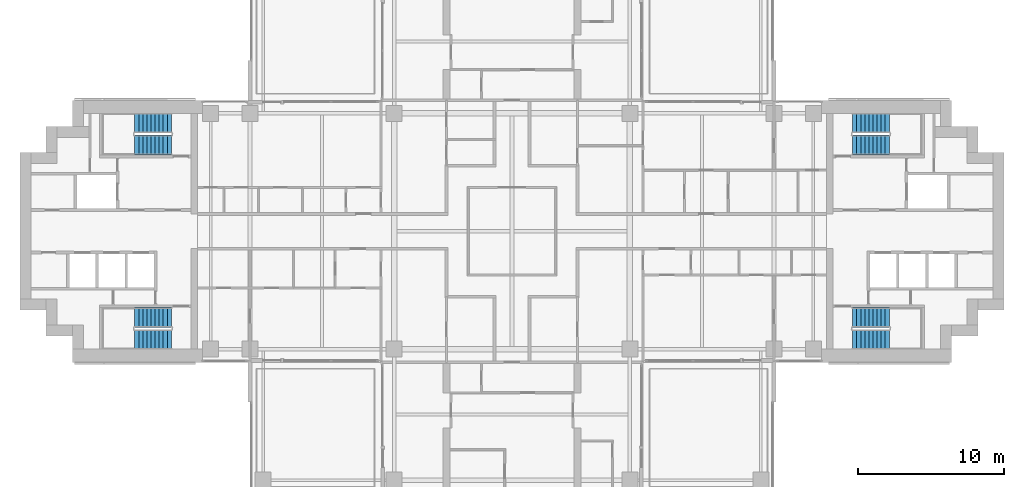
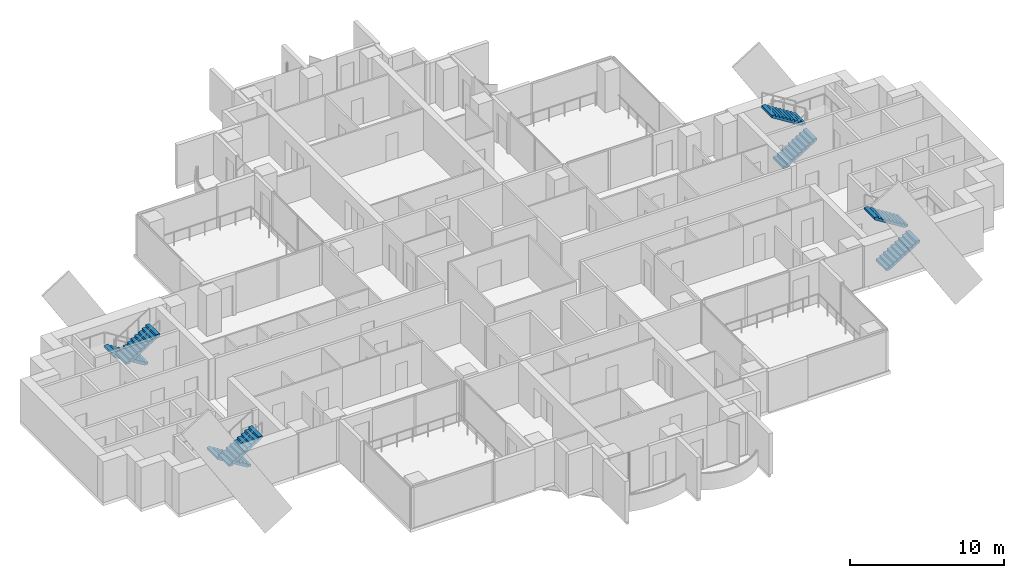
# One storey, part 15 of 19: 8 stair flights, 4 elements without a shape of their own.
"""IFC4 building model written with IfcOpenShell, lengths in metres."""

from ifc_helpers import new_model, si_unit, direction, frame, origin, place, context, subcontext, project, spatial, polyline, outline, extrude, material, type_object, element, aggregate, save


model = new_model("IFC4")

# Units and contexts
model_context = context("Model", 3, precision=1e-05, world=origin(), true_north=direction((0.0, 1.0)))
body_context = subcontext(model_context, "Body", "Model", "MODEL_VIEW")
ifc_project = project(units=[si_unit("LENGTHUNIT", "METRE"), si_unit("AREAUNIT", "SQUARE_METRE"), si_unit("VOLUMEUNIT", "CUBIC_METRE"), si_unit("PLANEANGLEUNIT", "RADIAN"), si_unit("MASSUNIT", "GRAM", prefix="KILO")], contexts=[model_context])

# Site, building, storey
site_placement = place(None, origin())
site = spatial("IfcSite", under=ifc_project, at=site_placement, CompositionType="ELEMENT")
building_placement = place(site_placement, origin())
building = spatial("IfcBuilding", under=site, at=building_placement, Name="Perihelion Cross Residences", CompositionType="ELEMENT")
storey_placement = place(building_placement, frame((0.0, 0.0, 126.89990234375)))
storey = spatial("IfcBuildingStorey", under=building, at=storey_placement, Name="L30", CompositionType="ELEMENT", Elevation=126.89990234375)

# Stair, stair flights
ifc_material_1 = material(Name="Concrete C40/50", Category="concrete")
stair_type = type_object("IfcStairType", Name="Exit stair, half-turn", PredefinedType="HALF_TURN_STAIR", material=ifc_material_1)
stair_1_placement = place(storey_placement, origin())
stair_1 = element("IfcStair", 1, at=stair_1_placement, inside=storey, type_object=stair_type, Name="L30 East core exit stair 1", PredefinedType="HALF_TURN_STAIR")
ifc_material_2 = material(Name="Concrete C40/50", Category="concrete")
stair_flight_type = type_object("IfcStairFlightType", Name="Exit stair flight", PredefinedType="STRAIGHT", material=ifc_material_2)
stair_flight_1_placement = place(storey_placement, frame((23.39990234375, 5.925048828125, 0.0), z_axis=(0.0, 0.0, 1.0), x_axis=(1.0, 0.0, 0.0)))
stair_flight_1 = element("IfcStairFlight", 2, at=stair_flight_1_placement, type_object=stair_flight_type, Name="ST-E1 flight 1", NumberOfRisers=10, NumberOfTreads=9, PredefinedType="STRAIGHT", RiserHeight=0.175, TreadLength=0.28, context=body_context, shape_type="SweptSolid", body=[
    extrude(outline(polyline([(0.0, 0.0), (0.0, 0.175048828125), (0.280029296875, 0.175048828125), (0.280029296875, 0.35009765625), (0.56005859375, 0.35009765625), (0.56005859375, 0.52490234375), (0.840087890625, 0.52490234375), (0.840087890625, 0.699951171875), (1.1201171875, 0.699951171875), (1.1201171875, 0.875), (1.39990234375, 0.875), (1.39990234375, 1.050048828125), (1.679931640625, 1.050048828125), (1.679931640625, 1.22509765625), (1.9599609375, 1.22509765625), (1.9599609375, 1.39990234375), (2.239990234375, 1.39990234375), (2.239990234375, 1.574951171875), (2.52001953125, 1.574951171875), (2.52001953125, 1.75), (2.52001953125, 1.398193359375), (0.28271484375, 0.0), (0.0, 0.0)])), frame((0.0, 0.675048828125, 0.0), z_axis=(0.0, -1.0, 0.0), x_axis=(1.0, 0.0, 0.0)), (0.0, 0.0, 1.0), 1.35009765625),
])
stair_flight_2_placement = place(storey_placement, frame((25.919921875, 7.425048828125, 1.75), z_axis=(0.0, 0.0, 1.0), x_axis=(-1.0, 0.0, 0.0)))
stair_flight_2 = element("IfcStairFlight", 3, at=stair_flight_2_placement, type_object=stair_flight_type, Name="ST-E1 flight 2", NumberOfRisers=10, NumberOfTreads=9, PredefinedType="STRAIGHT", RiserHeight=0.175, TreadLength=0.28, context=body_context, shape_type="SweptSolid", body=[
    extrude(outline(polyline([(0.0, 0.0), (0.0, 0.175048828125), (0.280029296875, 0.175048828125), (0.280029296875, 0.35009765625), (0.56005859375, 0.35009765625), (0.56005859375, 0.52490234375), (0.840087890625, 0.52490234375), (0.840087890625, 0.699951171875), (1.1201171875, 0.699951171875), (1.1201171875, 0.875), (1.39990234375, 0.875), (1.39990234375, 1.050048828125), (1.679931640625, 1.050048828125), (1.679931640625, 1.22509765625), (1.9599609375, 1.22509765625), (1.9599609375, 1.39990234375), (2.239990234375, 1.39990234375), (2.239990234375, 1.574951171875), (2.52001953125, 1.574951171875), (2.52001953125, 1.75), (2.52001953125, 1.398193359375), (0.28271484375, 0.0), (0.0, 0.0)])), frame((0.0, 0.675048828125, 0.0), z_axis=(0.0, -1.0, 0.0), x_axis=(1.0, 0.0, 0.0)), (0.0, 0.0, 1.0), 1.35009765625),
])
aggregate(stair_1, [stair_flight_1, stair_flight_2])

stair_2_placement = place(storey_placement, origin())
stair_2 = element("IfcStair", 4, at=stair_2_placement, inside=storey, type_object=stair_type, Name="L30 East core exit stair 2", PredefinedType="HALF_TURN_STAIR")
stair_flight_3_placement = place(storey_placement, frame((23.39990234375, -7.425048828125, 0.0), z_axis=(0.0, 0.0, 1.0), x_axis=(1.0, 0.0, 0.0)))
stair_flight_3 = element("IfcStairFlight", 5, at=stair_flight_3_placement, type_object=stair_flight_type, Name="ST-E2 flight 1", NumberOfRisers=10, NumberOfTreads=9, PredefinedType="STRAIGHT", RiserHeight=0.175, TreadLength=0.28, context=body_context, shape_type="SweptSolid", body=[
    extrude(outline(polyline([(0.0, 0.0), (0.0, 0.175048828125), (0.280029296875, 0.175048828125), (0.280029296875, 0.35009765625), (0.56005859375, 0.35009765625), (0.56005859375, 0.52490234375), (0.840087890625, 0.52490234375), (0.840087890625, 0.699951171875), (1.1201171875, 0.699951171875), (1.1201171875, 0.875), (1.39990234375, 0.875), (1.39990234375, 1.050048828125), (1.679931640625, 1.050048828125), (1.679931640625, 1.22509765625), (1.9599609375, 1.22509765625), (1.9599609375, 1.39990234375), (2.239990234375, 1.39990234375), (2.239990234375, 1.574951171875), (2.52001953125, 1.574951171875), (2.52001953125, 1.75), (2.52001953125, 1.398193359375), (0.28271484375, 0.0), (0.0, 0.0)])), frame((0.0, 0.675048828125, 0.0), z_axis=(0.0, -1.0, 0.0), x_axis=(1.0, 0.0, 0.0)), (0.0, 0.0, 1.0), 1.35009765625),
])
stair_flight_4_placement = place(storey_placement, frame((25.919921875, -5.925048828125, 1.75), z_axis=(0.0, 0.0, 1.0), x_axis=(-1.0, 0.0, 0.0)))
stair_flight_4 = element("IfcStairFlight", 6, at=stair_flight_4_placement, type_object=stair_flight_type, Name="ST-E2 flight 2", NumberOfRisers=10, NumberOfTreads=9, PredefinedType="STRAIGHT", RiserHeight=0.175, TreadLength=0.28, context=body_context, shape_type="SweptSolid", body=[
    extrude(outline(polyline([(0.0, 0.0), (0.0, 0.175048828125), (0.280029296875, 0.175048828125), (0.280029296875, 0.35009765625), (0.56005859375, 0.35009765625), (0.56005859375, 0.52490234375), (0.840087890625, 0.52490234375), (0.840087890625, 0.699951171875), (1.1201171875, 0.699951171875), (1.1201171875, 0.875), (1.39990234375, 0.875), (1.39990234375, 1.050048828125), (1.679931640625, 1.050048828125), (1.679931640625, 1.22509765625), (1.9599609375, 1.22509765625), (1.9599609375, 1.39990234375), (2.239990234375, 1.39990234375), (2.239990234375, 1.574951171875), (2.52001953125, 1.574951171875), (2.52001953125, 1.75), (2.52001953125, 1.398193359375), (0.28271484375, 0.0), (0.0, 0.0)])), frame((0.0, 0.675048828125, 0.0), z_axis=(0.0, -1.0, 0.0), x_axis=(1.0, 0.0, 0.0)), (0.0, 0.0, 1.0), 1.35009765625),
])
aggregate(stair_2, [stair_flight_3, stair_flight_4])

stair_3_placement = place(storey_placement, origin())
stair_3 = element("IfcStair", 7, at=stair_3_placement, inside=storey, type_object=stair_type, Name="L30 West core exit stair 1", PredefinedType="HALF_TURN_STAIR")
stair_flight_5_placement = place(storey_placement, frame((-23.39990234375, 7.425048828125, 0.0), z_axis=(0.0, 0.0, 1.0), x_axis=(-1.0, 0.0, 0.0)))
stair_flight_5 = element("IfcStairFlight", 8, at=stair_flight_5_placement, type_object=stair_flight_type, Name="ST-W1 flight 1", NumberOfRisers=10, NumberOfTreads=9, PredefinedType="STRAIGHT", RiserHeight=0.175, TreadLength=0.28, context=body_context, shape_type="SweptSolid", body=[
    extrude(outline(polyline([(0.0, 0.0), (0.0, 0.175048828125), (0.280029296875, 0.175048828125), (0.280029296875, 0.35009765625), (0.56005859375, 0.35009765625), (0.56005859375, 0.52490234375), (0.840087890625, 0.52490234375), (0.840087890625, 0.699951171875), (1.1201171875, 0.699951171875), (1.1201171875, 0.875), (1.39990234375, 0.875), (1.39990234375, 1.050048828125), (1.679931640625, 1.050048828125), (1.679931640625, 1.22509765625), (1.9599609375, 1.22509765625), (1.9599609375, 1.39990234375), (2.239990234375, 1.39990234375), (2.239990234375, 1.574951171875), (2.52001953125, 1.574951171875), (2.52001953125, 1.75), (2.52001953125, 1.398193359375), (0.28271484375, 0.0), (0.0, 0.0)])), frame((0.0, 0.675048828125, 0.0), z_axis=(0.0, -1.0, 0.0), x_axis=(1.0, 0.0, 0.0)), (0.0, 0.0, 1.0), 1.35009765625),
])
stair_flight_6_placement = place(storey_placement, frame((-25.919921875, 5.925048828125, 1.75), z_axis=(0.0, 0.0, 1.0), x_axis=(1.0, 0.0, 0.0)))
stair_flight_6 = element("IfcStairFlight", 9, at=stair_flight_6_placement, type_object=stair_flight_type, Name="ST-W1 flight 2", NumberOfRisers=10, NumberOfTreads=9, PredefinedType="STRAIGHT", RiserHeight=0.175, TreadLength=0.28, context=body_context, shape_type="SweptSolid", body=[
    extrude(outline(polyline([(0.0, 0.0), (0.0, 0.175048828125), (0.280029296875, 0.175048828125), (0.280029296875, 0.35009765625), (0.56005859375, 0.35009765625), (0.56005859375, 0.52490234375), (0.840087890625, 0.52490234375), (0.840087890625, 0.699951171875), (1.1201171875, 0.699951171875), (1.1201171875, 0.875), (1.39990234375, 0.875), (1.39990234375, 1.050048828125), (1.679931640625, 1.050048828125), (1.679931640625, 1.22509765625), (1.9599609375, 1.22509765625), (1.9599609375, 1.39990234375), (2.239990234375, 1.39990234375), (2.239990234375, 1.574951171875), (2.52001953125, 1.574951171875), (2.52001953125, 1.75), (2.52001953125, 1.398193359375), (0.28271484375, 0.0), (0.0, 0.0)])), frame((0.0, 0.675048828125, 0.0), z_axis=(0.0, -1.0, 0.0), x_axis=(1.0, 0.0, 0.0)), (0.0, 0.0, 1.0), 1.35009765625),
])
aggregate(stair_3, [stair_flight_5, stair_flight_6])

stair_4_placement = place(storey_placement, origin())
stair_4 = element("IfcStair", 10, at=stair_4_placement, inside=storey, type_object=stair_type, Name="L30 West core exit stair 2", PredefinedType="HALF_TURN_STAIR")
stair_flight_7_placement = place(storey_placement, frame((-23.39990234375, -5.925048828125, 0.0), z_axis=(0.0, 0.0, 1.0), x_axis=(-1.0, 0.0, 0.0)))
stair_flight_7 = element("IfcStairFlight", 11, at=stair_flight_7_placement, type_object=stair_flight_type, Name="ST-W2 flight 1", NumberOfRisers=10, NumberOfTreads=9, PredefinedType="STRAIGHT", RiserHeight=0.175, TreadLength=0.28, context=body_context, shape_type="SweptSolid", body=[
    extrude(outline(polyline([(0.0, 0.0), (0.0, 0.175048828125), (0.280029296875, 0.175048828125), (0.280029296875, 0.35009765625), (0.56005859375, 0.35009765625), (0.56005859375, 0.52490234375), (0.840087890625, 0.52490234375), (0.840087890625, 0.699951171875), (1.1201171875, 0.699951171875), (1.1201171875, 0.875), (1.39990234375, 0.875), (1.39990234375, 1.050048828125), (1.679931640625, 1.050048828125), (1.679931640625, 1.22509765625), (1.9599609375, 1.22509765625), (1.9599609375, 1.39990234375), (2.239990234375, 1.39990234375), (2.239990234375, 1.574951171875), (2.52001953125, 1.574951171875), (2.52001953125, 1.75), (2.52001953125, 1.398193359375), (0.28271484375, 0.0), (0.0, 0.0)])), frame((0.0, 0.675048828125, 0.0), z_axis=(0.0, -1.0, 0.0), x_axis=(1.0, 0.0, 0.0)), (0.0, 0.0, 1.0), 1.35009765625),
])
stair_flight_8_placement = place(storey_placement, frame((-25.919921875, -7.425048828125, 1.75), z_axis=(0.0, 0.0, 1.0), x_axis=(1.0, 0.0, 0.0)))
stair_flight_8 = element("IfcStairFlight", 12, at=stair_flight_8_placement, type_object=stair_flight_type, Name="ST-W2 flight 2", NumberOfRisers=10, NumberOfTreads=9, PredefinedType="STRAIGHT", RiserHeight=0.175, TreadLength=0.28, context=body_context, shape_type="SweptSolid", body=[
    extrude(outline(polyline([(0.0, 0.0), (0.0, 0.175048828125), (0.280029296875, 0.175048828125), (0.280029296875, 0.35009765625), (0.56005859375, 0.35009765625), (0.56005859375, 0.52490234375), (0.840087890625, 0.52490234375), (0.840087890625, 0.699951171875), (1.1201171875, 0.699951171875), (1.1201171875, 0.875), (1.39990234375, 0.875), (1.39990234375, 1.050048828125), (1.679931640625, 1.050048828125), (1.679931640625, 1.22509765625), (1.9599609375, 1.22509765625), (1.9599609375, 1.39990234375), (2.239990234375, 1.39990234375), (2.239990234375, 1.574951171875), (2.52001953125, 1.574951171875), (2.52001953125, 1.75), (2.52001953125, 1.398193359375), (0.28271484375, 0.0), (0.0, 0.0)])), frame((0.0, 0.675048828125, 0.0), z_axis=(0.0, -1.0, 0.0), x_axis=(1.0, 0.0, 0.0)), (0.0, 0.0, 1.0), 1.35009765625),
])
aggregate(stair_4, [stair_flight_7, stair_flight_8])

save(model, "model.ifc")
